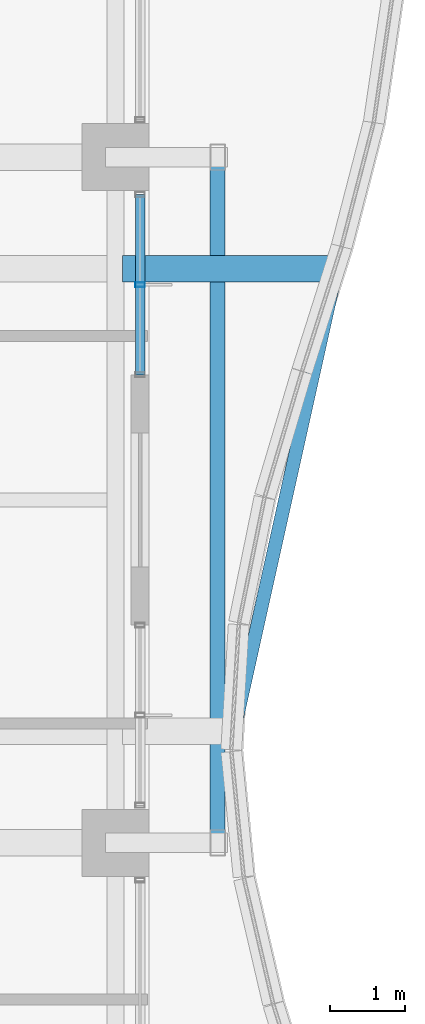
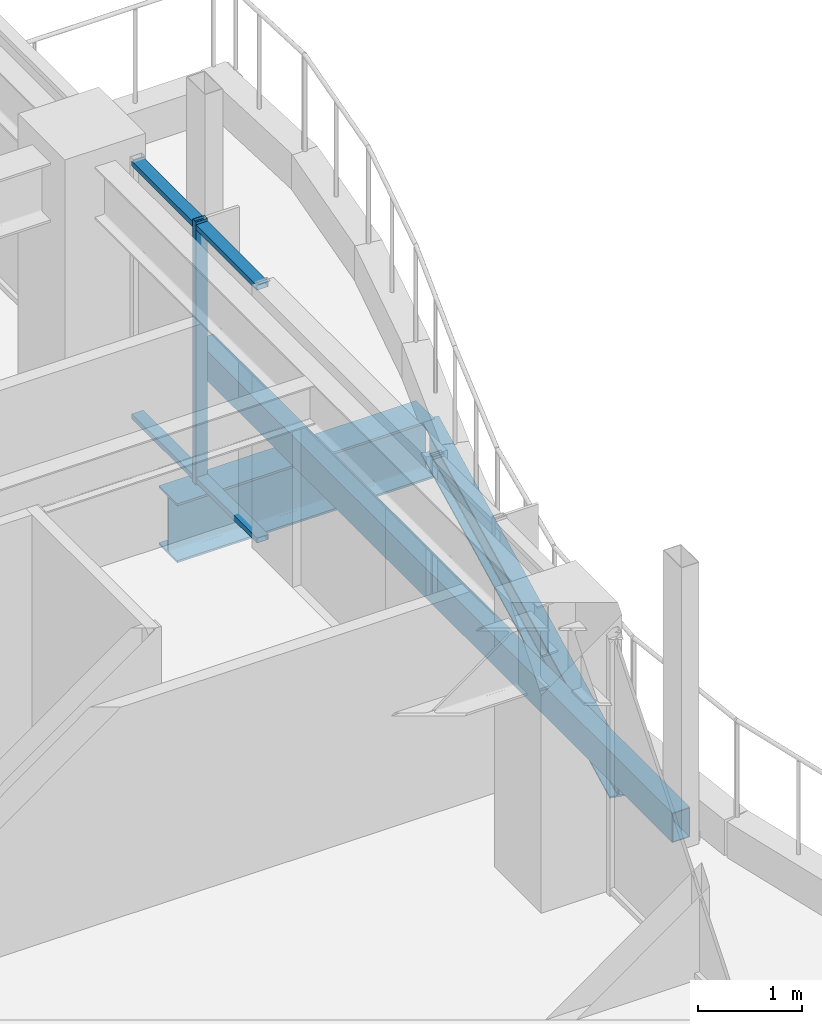
# One storey, part 17 of 37: 4 members, 2 beams, 1 element without a shape of its own.
"""IFC4 building model written with IfcOpenShell, lengths in metres."""

from ifc_helpers import new_model, si_unit, direction, frame, origin, origin_2d, place, context, subcontext, project, spatial, hollow_rectangle, i_section, extrude, material, material_profile, profile_set, type_object, element, aggregate, save


model = new_model("IFC4")

# Units and contexts
model_context = context("Model", 3, precision=1e-05, world=origin(), true_north=direction((0.0, 1.0)))
body_context = subcontext(model_context, "Body", "Model", "MODEL_VIEW")
ifc_project = project(units=[si_unit("LENGTHUNIT", "METRE"), si_unit("AREAUNIT", "SQUARE_METRE"), si_unit("VOLUMEUNIT", "CUBIC_METRE"), si_unit("PLANEANGLEUNIT", "RADIAN"), si_unit("MASSUNIT", "GRAM", prefix="KILO")], contexts=[model_context])

# Site, building, storey
site_placement = place(None, origin())
site = spatial("IfcSite", under=ifc_project, at=site_placement, CompositionType="ELEMENT")
building_placement = place(site_placement, origin())
building = spatial("IfcBuilding", under=site, at=building_placement, Name="Kolvaren Belvedere", CompositionType="ELEMENT")
storey_placement = place(building_placement, frame((0.0, 0.0, 156.89990234375)))
storey = spatial("IfcBuildingStorey", under=building, at=storey_placement, Name="L45", CompositionType="ELEMENT", Elevation=156.89990234375)

# Beams
ifc_material_1 = material(Name="Structural steel ASTM A992 Grade 50", Category="steel")
ifc_material_profile_1 = material_profile(ifc_material_1, i_section(OverallWidth=0.35498046875, OverallDepth=0.696044921875, WebThickness=0.015380859375, FlangeThickness=0.02490234375, FilletRadius=0.02197265625, at=origin_2d()), Name="W27X146")
ifc_profile_set_1 = profile_set([ifc_material_profile_1], Name="Structural steel ASTM A992 Grade 50")
beam_type_1 = type_object("IfcBeamType", Name="BM-CANT-BAL", PredefinedType="BEAM", material=ifc_profile_set_1)
beam_1_placement = place(storey_placement, frame((18.7451171875, 3.10009765625, -0.5478515625), z_axis=(1.0, 0.0, 0.0), x_axis=(0.0, 1.0, 0.0)))
element("IfcBeam", 1, at=beam_1_placement, inside=storey, type_object=beam_type_1, Name="L45 Planted Balcony Cantilever BAL-E-2", PredefinedType="BEAM", context=body_context, shape_type="SweptSolid", body=[
    extrude(i_section(OverallWidth=0.35498046875, OverallDepth=0.696044921875, WebThickness=0.015380859375, FlangeThickness=0.02490234375, FilletRadius=0.02197265625, at=origin_2d()), origin(), (0.0, 0.0, 1.0), 2.869873046875),
])
ifc_material_2 = material(Name="Structural steel ASTM A992 Grade 50", Category="steel")
ifc_material_profile_2 = material_profile(ifc_material_2, i_section(OverallWidth=0.180908203125, OverallDepth=0.4169921875, WebThickness=0.010986328125, FlangeThickness=0.018310546875, FilletRadius=0.013916015625, at=origin_2d()), Name="W16X57")
ifc_profile_set_2 = profile_set([ifc_material_profile_2], Name="Structural steel ASTM A992 Grade 50")
beam_type_2 = type_object("IfcBeamType", Name="BM-EDGE-W16X57", PredefinedType="BEAM", material=ifc_profile_set_2)
beam_2_placement = place(storey_placement, frame((20.26806640625, -2.96337890625, -0.408447265625), z_axis=(0.216866590272, 0.97620125078, 0.0), x_axis=(-0.97620125078, 0.216866590272, 0.0)))
element("IfcBeam", 2, at=beam_2_placement, inside=storey, type_object=beam_type_2, Name="L45 Balcony Tip Header Beam BAL-E", PredefinedType="BEAM", context=body_context, shape_type="SweptSolid", body=[
    extrude(i_section(OverallWidth=0.180908203125, OverallDepth=0.4169921875, WebThickness=0.010986328125, FlangeThickness=0.018310546875, FilletRadius=0.013916015625, at=origin_2d()), origin(), (0.0, 0.0, 1.0), 6.0712890625),
])

# Curtain wall, members
ifc_material_3 = material(Name="Anodised pale-metal aluminium AA 6063-T6", Category="aluminium")
curtain_wall_type = type_object("IfcCurtainWallType", Name="CW-Z3-WAIST", PredefinedType="NOTDEFINED", material=ifc_material_3)
curtain_wall_placement = place(storey_placement, origin())
curtain_wall = element("IfcCurtainWall", 3, at=curtain_wall_placement, inside=storey, type_object=curtain_wall_type, Name="L45 Unitised Curtain Wall FCW-L45-E1-B2", PredefinedType="NOTDEFINED")
ifc_material_4 = material(Name="Anodised pale-metal aluminium AA 6063-T6", Category="aluminium")
ifc_material_profile_3 = material_profile(ifc_material_4, hollow_rectangle(XDim=0.06494140625, YDim=0.1298828125, WallThickness=0.00390625, at=origin_2d()), Name="ALU-MUL-130X65")
ifc_profile_set_3 = profile_set([ifc_material_profile_3], Name="Anodised pale-metal aluminium AA 6063-T6")
member_type_1 = type_object("IfcMemberType", Name="CW-MUL-130", PredefinedType="MULLION", material=ifc_profile_set_3)
member_1_placement = place(storey_placement, frame((18.97998046875, 2.888671875, 0.0), z_axis=(0.0, 0.0, 1.0), x_axis=(0.0, 1.0, 0.0)))
member_1 = element("IfcMember", 4, at=member_1_placement, type_object=member_type_1, Name="FCW-L45-E1-B2 Unitised Mullion 2", PredefinedType="MULLION", context=body_context, shape_type="SweptSolid", body=[
    extrude(hollow_rectangle(XDim=0.06494140625, YDim=0.1298828125, WallThickness=0.00390625, at=origin_2d()), origin(), (0.0, 0.0, 1.0), 3.10009765625),
])
ifc_material_5 = material(Name="Anodised pale-metal aluminium AA 6063-T6", Category="aluminium")
ifc_material_profile_4 = material_profile(ifc_material_5, hollow_rectangle(XDim=0.06005859375, YDim=0.1298828125, WallThickness=0.00390625, at=origin_2d()), Name="ALU-TRN-130X60")
ifc_profile_set_4 = profile_set([ifc_material_profile_4], Name="Anodised pale-metal aluminium AA 6063-T6")
member_type_2 = type_object("IfcMemberType", Name="CW-TRN-130", PredefinedType="USERDEFINED", material=ifc_profile_set_4)
member_2_placement = place(storey_placement, frame((18.97998046875, 4.097412109375, 0.06005859375), z_axis=(0.0, -1.0, 0.0), x_axis=(0.0, 0.0, 1.0)))
member_2 = element("IfcMember", 5, at=member_2_placement, type_object=member_type_2, Name="FCW-L45-E1-B2 Sill Transom", ObjectType="TRANSOM", PredefinedType="USERDEFINED", context=body_context, shape_type="SweptSolid", body=[
    extrude(hollow_rectangle(XDim=0.06005859375, YDim=0.1298828125, WallThickness=0.00390625, at=origin_2d()), origin(), (0.0, 0.0, 1.0), 2.41748046875),
])
member_3_placement = place(storey_placement, frame((18.97998046875, 4.097412109375, 3.0400390625), z_axis=(0.0, -1.0, 0.0), x_axis=(0.0, 0.0, 1.0)))
member_3 = element("IfcMember", 6, at=member_3_placement, type_object=member_type_2, Name="FCW-L45-E1-B2 Head Transom", ObjectType="TRANSOM", PredefinedType="USERDEFINED", context=body_context, shape_type="SweptSolid", body=[
    extrude(hollow_rectangle(XDim=0.06005859375, YDim=0.1298828125, WallThickness=0.00390625, at=origin_2d()), origin(), (0.0, 0.0, 1.0), 2.41748046875),
])
aggregate(curtain_wall, [member_1, member_2, member_3])

# Member
ifc_material_6 = material(Name="Anodised pale-metal aluminium AA 6063-T6", Category="aluminium")
ifc_material_profile_5 = material_profile(ifc_material_6, hollow_rectangle(XDim=0.199951171875, YDim=0.35009765625, WallThickness=0.007568359375, at=origin_2d()), Name="ALU-PF-350X200")
ifc_profile_set_5 = profile_set([ifc_material_profile_5], Name="Anodised pale-metal aluminium AA 6063-T6")
member_type_3 = type_object("IfcMemberType", Name="PF-FRAME-350", PredefinedType="USERDEFINED", material=ifc_profile_set_5)
member_4_placement = place(storey_placement, frame((20.02001953125, 4.60009765625, 0.130126953125), z_axis=(0.0, -1.0, 0.0), x_axis=(1.0, 0.0, 0.0)))
element("IfcMember", 7, at=member_4_placement, inside=storey, type_object=member_type_3, Name="L45 Outboard Picture-Frame Sill E", ObjectType="PICTURE FRAME FIN", PredefinedType="USERDEFINED", context=body_context, shape_type="SweptSolid", body=[
    extrude(hollow_rectangle(XDim=0.199951171875, YDim=0.35009765625, WallThickness=0.007568359375, at=origin_2d()), origin(), (0.0, 0.0, 1.0), 9.2001953125),
])

save(model, "model.ifc")
